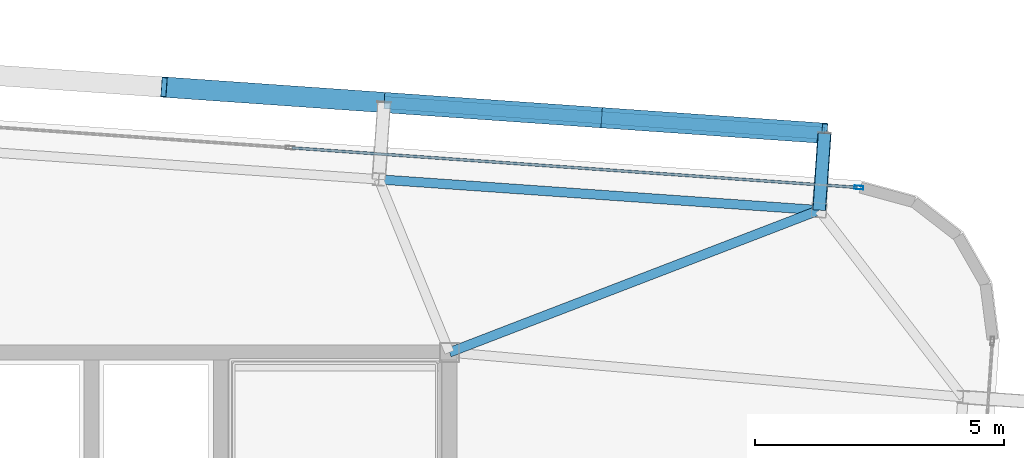
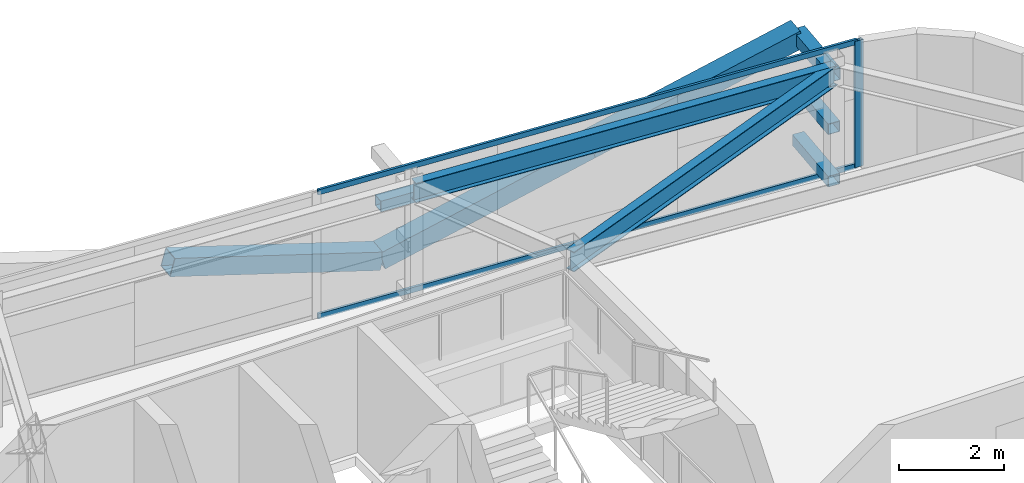
# One storey, part 24 of 39: 10 members, 2 beams, 1 element without a shape of its own.
"""IFC4 building model written with IfcOpenShell, lengths in metres."""

from ifc_helpers import new_model, si_unit, direction, frame, origin, origin_2d, place, context, subcontext, project, spatial, hollow_rectangle, i_section, extrude, source, transform, mapped, material, layer, layer_set, material_profile, profile_set, type_object, element, aggregate, save


model = new_model("IFC4")

# Units and contexts
model_context = context("Model", 3, precision=1e-05, world=origin(), true_north=direction((0.0, 1.0)))
body_context = subcontext(model_context, "Body", "Model", "MODEL_VIEW")
ifc_project = project(units=[si_unit("LENGTHUNIT", "METRE"), si_unit("AREAUNIT", "SQUARE_METRE"), si_unit("VOLUMEUNIT", "CUBIC_METRE"), si_unit("PLANEANGLEUNIT", "RADIAN"), si_unit("MASSUNIT", "GRAM", prefix="KILO")], contexts=[model_context])

# Site, building, storey
site_placement = place(None, origin())
site = spatial("IfcSite", under=ifc_project, at=site_placement, CompositionType="ELEMENT")
building_placement = place(site_placement, origin())
building = spatial("IfcBuilding", under=site, at=building_placement, Name="Taldren Reach Tower", CompositionType="ELEMENT")
storey_placement = place(building_placement, frame((0.0, 0.0, 126.699951171875)))
storey = spatial("IfcBuildingStorey", under=building, at=storey_placement, Name="L38", CompositionType="ELEMENT", Elevation=126.699951171875)

# Members
ifc_material_1 = material(Name="Steel Gr 450 (C450L0)", Category="steel")
ifc_material_profile_1 = material_profile(ifc_material_1, hollow_rectangle(XDim=0.27490234375, YDim=0.27490234375, WallThickness=0.00927734375, at=origin_2d()), Name="275x275x9.3SHS")
ifc_profile_set_1 = profile_set([ifc_material_profile_1], Name="Steel Gr 450 (C450L0)")
member_type_1 = type_object("IfcMemberType", Name="MB-TIE273", PredefinedType="STRUT", material=ifc_profile_set_1)
shared_shape_1 = source(origin(), body_context, "Body", "SweptSolid", [
    extrude(hollow_rectangle(XDim=0.27490234375, YDim=0.27490234375, WallThickness=0.00927734375, at=origin_2d()), origin(), (0.0, 0.0, 1.0), 1.5498046875),
])
member_1_placement = place(storey_placement, frame((58.4365234375, 34.861572265625, 2.650146484375), z_axis=(0.069780535098, 0.997562367434, 0.0), x_axis=(-0.997562367434, 0.069780535098, 0.0)))
element("IfcMember", 1, at=member_1_placement, inside=storey, type_object=member_type_1, Name="Exoskeleton diaphragm tie strut B3-N6 L38", PredefinedType="STRUT", context=body_context, shape_type="MappedRepresentation", body=[
    mapped(shared_shape_1, transform((0.0, 0.0, 0.0), scale=1.0)),
])
ifc_material_2 = material(Name="Steel Gr 350 (C350L0)", Category="steel")
ifc_material_profile_2 = material_profile(ifc_material_2, hollow_rectangle(XDim=0.25, YDim=0.25, WallThickness=0.010009765625, at=origin_2d()), Name="250x250x10.0SHS")
ifc_profile_set_2 = profile_set([ifc_material_profile_2], Name="Steel Gr 350 (C350L0)")
member_type_2 = type_object("IfcMemberType", Name="MB-POST250", PredefinedType="POST", material=ifc_profile_set_2)
shared_shape_2 = source(origin(), body_context, "Body", "SweptSolid", [
    extrude(hollow_rectangle(XDim=0.25, YDim=0.25, WallThickness=0.010009765625, at=origin_2d()), origin(), (0.0, 0.0, 1.0), 1.5498046875),
])
for number, where, z_axis, x_axis, name in (
    (2, (58.4365234375, 34.861572265625, 0.219970703125), (0.069780535098, 0.997562367434, 0.0), (-0.997562367434, 0.069780535098, 0.0), "Exoskeleton base diaphragm tie strut B3-N6 L38"),
    (3, (58.4365234375, 34.861572265625, 1.43505859375), (0.069780535098, 0.997562367434, 0.0), (-0.997562367434, 0.069780535098, 0.0), "Exoskeleton mid-tier diaphragm tie B3-N6 L38"),
):
    element("IfcMember", number, at=place(storey_placement, frame(where, z_axis=z_axis, x_axis=x_axis)), inside=storey, type_object=member_type_2, Name=name, PredefinedType="POST", context=body_context, shape_type="MappedRepresentation", body=[
        mapped(shared_shape_2, transform((0.0, 0.0, 0.0), scale=1.0)),
    ])

# Beams
ifc_material_3 = material(Name="Steel Gr 350 (350PLUS)", Category="steel")
ifc_material_profile_3 = material_profile(ifc_material_3, i_section(OverallWidth=0.18994140625, OverallDepth=0.4541015625, WebThickness=0.008544921875, FlangeThickness=0.0126953125, at=origin_2d()), Name="460UB67.1")
ifc_profile_set_3 = profile_set([ifc_material_profile_3], Name="Steel Gr 350 (350PLUS)")
beam_type_1 = type_object("IfcBeamType", Name="SP-UB460B", PredefinedType="SPANDREL", material=ifc_profile_set_3)
shared_shape_3 = source(origin(), body_context, "Body", "SweptSolid", [
    extrude(i_section(OverallWidth=0.18994140625, OverallDepth=0.4541015625, WebThickness=0.008544921875, FlangeThickness=0.0126953125, at=origin_2d()), origin(), (0.0, 0.0, 1.0), 8.880126953125),
])
beam_1_placement = place(storey_placement, frame((58.4365234375, 34.861572265625, 2.703125), z_axis=(-0.997564479639, 0.069750333063, 0.0), x_axis=(-0.069750333063, -0.997564479639, 0.0)))
element("IfcBeam", 4, at=beam_1_placement, inside=storey, type_object=beam_type_1, Name="Perimeter spandrel B3 N6-N5 L38", PredefinedType="SPANDREL", context=body_context, shape_type="MappedRepresentation", body=[
    mapped(shared_shape_3, transform((0.0, 0.0, 0.0), scale=1.0)),
])
ifc_material_profile_4 = material_profile(ifc_material_3, i_section(OverallWidth=0.19091796875, OverallDepth=0.4599609375, WebThickness=0.010009765625, FlangeThickness=0.01611328125, at=origin_2d()), Name="460UB82.1")
ifc_profile_set_4 = profile_set([ifc_material_profile_4], Name="Steel Gr 350 (350PLUS)")
beam_type_2 = type_object("IfcBeamType", Name="BM-UB460A", PredefinedType="BEAM", material=ifc_profile_set_4)
shared_shape_4 = source(origin(), body_context, "Body", "SweptSolid", [
    extrude(i_section(OverallWidth=0.19091796875, OverallDepth=0.4599609375, WebThickness=0.010009765625, FlangeThickness=0.01611328125, at=origin_2d()), origin(), (0.0, 0.0, 1.0), 7.968017578125),
])
beam_2_placement = place(storey_placement, frame((51.0, 32.0, 2.699951171875), z_axis=(0.933287947144, 0.359128956943, 0.0), x_axis=(-0.359128956943, 0.933287947144, 0.0)))
element("IfcBeam", 5, at=beam_2_placement, inside=storey, type_object=beam_type_2, Name="Primary floor girder B3-N6 L38", PredefinedType="BEAM", context=body_context, shape_type="MappedRepresentation", body=[
    mapped(shared_shape_4, transform((0.0, 0.0, 0.0), scale=1.0)),
])

# Members
shared_shape_5 = source(origin(), body_context, "Body", "SweptSolid", [
    extrude(hollow_rectangle(XDim=0.25, YDim=0.25, WallThickness=0.010009765625, at=origin_2d()), origin(), (0.0, 0.0, 1.0), 8.880126953125),
])
member_2_placement = place(storey_placement, frame((49.686279296875, 37.02734375, 1.43505859375), z_axis=(0.997562566276, -0.06977769246, 0.0), x_axis=(0.06977769246, 0.997562566276, 0.0)))
element("IfcMember", 6, at=member_2_placement, inside=storey, type_object=member_type_2, Name="Exoskeleton mid-height ring chord B3-N5 L38", PredefinedType="POST", context=body_context, shape_type="MappedRepresentation", body=[
    mapped(shared_shape_5, transform((0.0, 0.0, 0.0), scale=1.0)),
])
ifc_material_profile_5 = material_profile(ifc_material_1, hollow_rectangle(XDim=0.409912109375, YDim=0.409912109375, WallThickness=0.01611328125, at=origin_2d()), Name="410x410x16.0SHS")
ifc_profile_set_5 = profile_set([ifc_material_profile_5], Name="Steel Gr 450 (C450L0)")
member_type_3 = type_object("IfcMemberType", Name="MB-EXO406", PredefinedType="BRACE", material=ifc_profile_set_5)
shared_shape_6 = source(origin(), body_context, "Body", "SweptSolid", [
    extrude(hollow_rectangle(XDim=0.409912109375, YDim=0.409912109375, WallThickness=0.01611328125, at=origin_2d()), origin(), (0.0, 0.0, 1.0), 4.603271484375),
])
for number, where, z_axis, x_axis, name in (
    (7, (49.686279296875, 37.02734375, 0.219970703125), (-0.962185784239, 0.067250114343, 0.263962002434), (-0.069722973508, -0.997566392259, 0.0), "Exoskeleton Diagrid Brace B3-N4 L38"),
    (8, (49.686279296875, 37.02734375, 0.219970703125), (0.962182351074, -0.067302910567, 0.263961060594), (0.06977769246, 0.997562566276, 0.0), "Exoskeleton Diagrid Brace B3-N5 L38"),
    (9, (54.115478515625, 36.717529296875, 1.43505859375), (0.962182351074, -0.067302910567, 0.263961060594), (0.06977769246, 0.997562566276, 0.0), "Exoskeleton Diagrid Brace B3-N5 L38"),
):
    element("IfcMember", number, at=place(storey_placement, frame(where, z_axis=z_axis, x_axis=x_axis)), inside=storey, type_object=member_type_3, Name=name, PredefinedType="BRACE", context=body_context, shape_type="MappedRepresentation", body=[
        mapped(shared_shape_6, transform((0.0, 0.0, 0.0), scale=1.0)),
    ])

# Curtain wall, members
ifc_material_4 = material(Name="Aluminium and Low-E Glass Unitised System", Category="aluminium")
ifc_layer = layer(ifc_material_4, 0.159912109375)
ifc_layer_set = layer_set([ifc_layer], Name="Aluminium and Low-E Glass Unitised System")
curtain_wall_type = type_object("IfcCurtainWallType", Name="CW-SYS-4", PredefinedType="NOTDEFINED", material=ifc_layer_set)
curtain_wall_placement = place(storey_placement, origin())
curtain_wall = element("IfcCurtainWall", 10, at=curtain_wall_placement, inside=storey, type_object=curtain_wall_type, Name="Unitised curtain wall CW-L38-N", PredefinedType="NOTDEFINED")
ifc_material_5 = material(Name="Anodised Aluminium 6063-T6", Category="aluminium")
ifc_material_profile_6 = material_profile(ifc_material_5, hollow_rectangle(XDim=0.054931640625, YDim=0.1201171875, WallThickness=0.0029296875, at=origin_2d()), Name="ALU-120x55x3RHS")
ifc_profile_set_6 = profile_set([ifc_material_profile_6], Name="Anodised Aluminium 6063-T6")
member_type_4 = type_object("IfcMemberType", Name="CW-TRN-135", PredefinedType="USERDEFINED", material=ifc_profile_set_6)
shared_shape_7 = source(origin(), body_context, "Body", "SweptSolid", [
    extrude(hollow_rectangle(XDim=0.054931640625, YDim=0.1201171875, WallThickness=0.0029296875, at=origin_2d()), origin(), (0.0, 0.0, 1.0), 11.39501953125),
])
member_3_placement = place(storey_placement, frame((59.2001953125, 35.3193359375, 0.027587890625), z_axis=(-0.997563740682, 0.069760900766, 0.0), x_axis=(-0.069760900766, -0.997563740682, 0.0)))
member_3 = element("IfcMember", 11, at=member_3_placement, type_object=member_type_4, Name="CW-4 transom 1.1", ObjectType="TRANSOM", PredefinedType="USERDEFINED", context=body_context, shape_type="MappedRepresentation", body=[
    mapped(shared_shape_7, transform((0.0, 0.0, 0.0), scale=1.0)),
])
member_4_placement = place(storey_placement, frame((59.2001953125, 35.3193359375, 2.902587890625), z_axis=(-0.997563740682, 0.069760900766, 0.0), x_axis=(-0.069760900766, -0.997563740682, 0.0)))
member_4 = element("IfcMember", 12, at=member_4_placement, type_object=member_type_4, Name="CW-4 transom 1.2", ObjectType="TRANSOM", PredefinedType="USERDEFINED", context=body_context, shape_type="MappedRepresentation", body=[
    mapped(shared_shape_7, transform((0.0, 0.0, 0.0), scale=1.0)),
])
ifc_material_profile_7 = material_profile(ifc_material_5, hollow_rectangle(XDim=0.070068359375, YDim=0.179931640625, WallThickness=0.00390625, at=origin_2d()), Name="ALU-180x70x4RHS")
ifc_profile_set_7 = profile_set([ifc_material_profile_7], Name="Anodised Aluminium 6063-T6")
member_type_5 = type_object("IfcMemberType", Name="CW-MUL-180", PredefinedType="MULLION", material=ifc_profile_set_7)
shared_shape_8 = source(origin(), body_context, "Body", "SweptSolid", [
    extrude(hollow_rectangle(XDim=0.070068359375, YDim=0.179931640625, WallThickness=0.00390625, at=origin_2d()), origin(), (0.0, 0.0, 1.0), 2.929931640625),
])
member_5_placement = place(storey_placement, frame((59.235107421875, 35.31689453125, 0.0), z_axis=(0.0, 0.0, 1.0), x_axis=(-0.06975651593, -0.99756404731, 0.0)))
member_5 = element("IfcMember", 13, at=member_5_placement, type_object=member_type_5, Name="CW-4 mullion 1", PredefinedType="MULLION", context=body_context, shape_type="MappedRepresentation", body=[
    mapped(shared_shape_8, transform((0.0, 0.0, 0.0), scale=1.0)),
])
aggregate(curtain_wall, [member_5, member_3, member_4])

save(model, "model.ifc")
